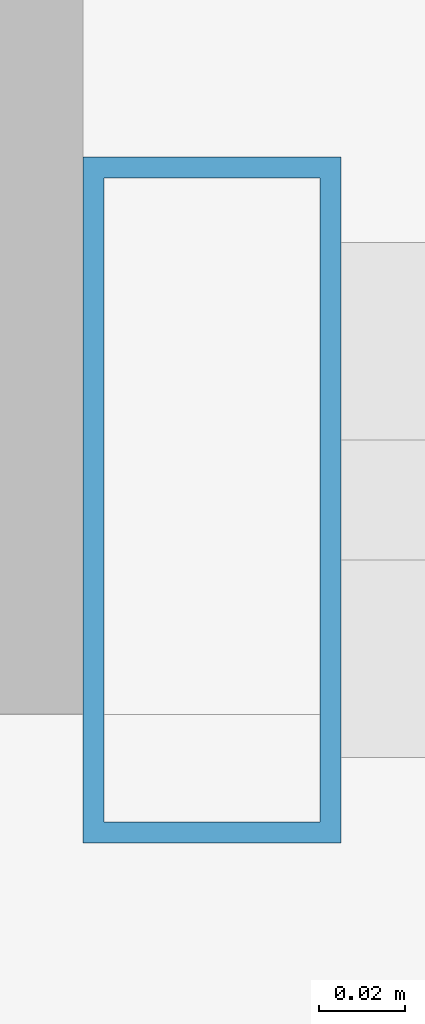
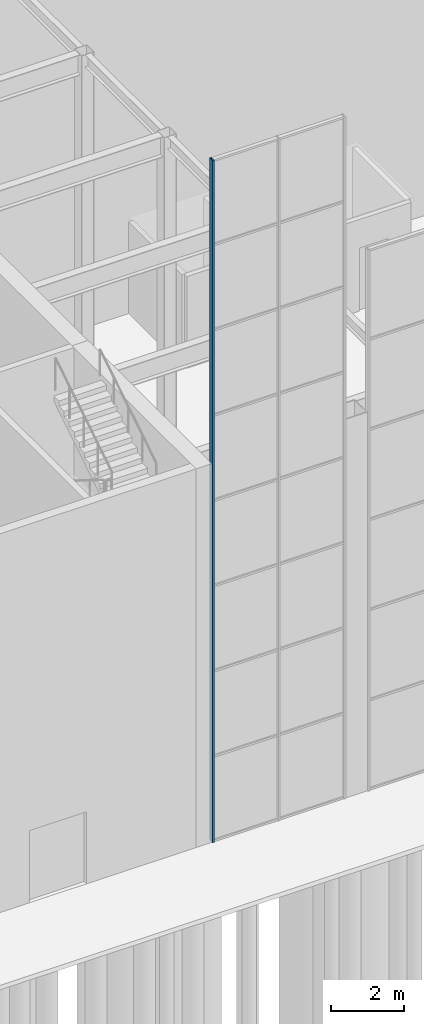
# One storey, part 9 of 58: 1 member, 1 element without a shape of its own.
"""IFC4 building model written with IfcOpenShell, lengths in metres."""

from ifc_helpers import new_model, si_unit, direction, frame, origin, origin_2d, place, context, subcontext, project, spatial, hollow_rectangle, extrude, material, layer, layer_set, material_profile, profile_set, type_object, element, aggregate, save


model = new_model("IFC4")

# Units and contexts
model_context = context("Model", 3, precision=1e-05, world=origin(), true_north=direction((0.0, 1.0)))
body_context = subcontext(model_context, "Body", "Model", "MODEL_VIEW")
ifc_project = project(units=[si_unit("LENGTHUNIT", "METRE"), si_unit("AREAUNIT", "SQUARE_METRE"), si_unit("VOLUMEUNIT", "CUBIC_METRE"), si_unit("PLANEANGLEUNIT", "RADIAN"), si_unit("MASSUNIT", "GRAM", prefix="KILO")], contexts=[model_context])

# Site, building, storey
site_placement = place(None, origin())
site = spatial("IfcSite", under=ifc_project, at=site_placement, CompositionType="ELEMENT")
building_placement = place(site_placement, origin())
building = spatial("IfcBuilding", under=site, at=building_placement, Name="Baori Bourse Tower", CompositionType="ELEMENT")
storey_placement = place(building_placement, origin())
storey = spatial("IfcBuildingStorey", under=building, at=storey_placement, Name="L00", CompositionType="ELEMENT", Elevation=0.0)

# Curtain wall, member
ifc_material_1 = material(Name="Pale anodised aluminium", Category="aluminium")
ifc_layer = layer(ifc_material_1, 0.10009765625)
ifc_layer_set = layer_set([ifc_layer], Name="Wing curtain wall")
curtain_wall_type = type_object("IfcCurtainWallType", Name="Wing curtain wall", PredefinedType="NOTDEFINED", material=ifc_layer_set)
curtain_wall_placement = place(storey_placement, origin())
curtain_wall = element("IfcCurtainWall", 1, at=curtain_wall_placement, inside=storey, type_object=curtain_wall_type, Name="wing/L00/hallcw/001", PredefinedType="NOTDEFINED")
ifc_material_2 = material(Name="Pale anodised aluminium", Category="aluminium")
ifc_material_profile = material_profile(ifc_material_2, hollow_rectangle(XDim=0.159912109375, YDim=0.06005859375, WallThickness=0.0048828125, at=origin_2d()), Name="Mullion 160x60x5")
ifc_profile_set = profile_set([ifc_material_profile], Name="Pale anodised aluminium")
member_type = type_object("IfcMemberType", Name="Wing mullion 60x160", PredefinedType="MULLION", material=ifc_profile_set)
member_placement = place(storey_placement, frame((0.280029296875, -25.14990234375, 0.0), z_axis=(0.0, 0.0, 1.0), x_axis=(0.0, 1.0, 0.0)))
member = element("IfcMember", 2, at=member_placement, type_object=member_type, Name="X12 mullion 1", PredefinedType="MULLION", context=body_context, shape_type="SweptSolid", body=[
    extrude(hollow_rectangle(XDim=0.159912109375, YDim=0.06005859375, WallThickness=0.0048828125, at=origin_2d()), origin(), (0.0, 0.0, 1.0), 22.699951171875),
])
aggregate(curtain_wall, [member])

save(model, "model.ifc")
